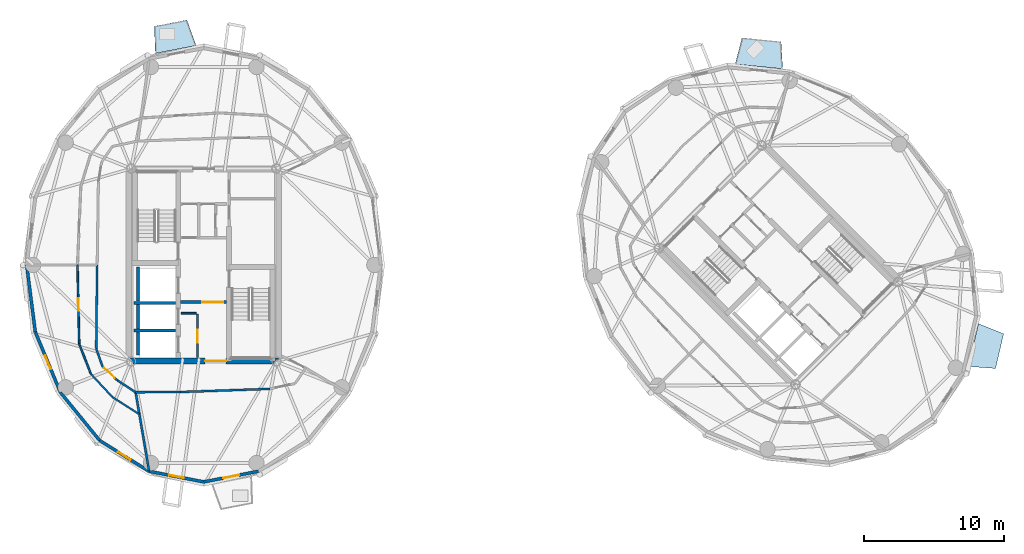
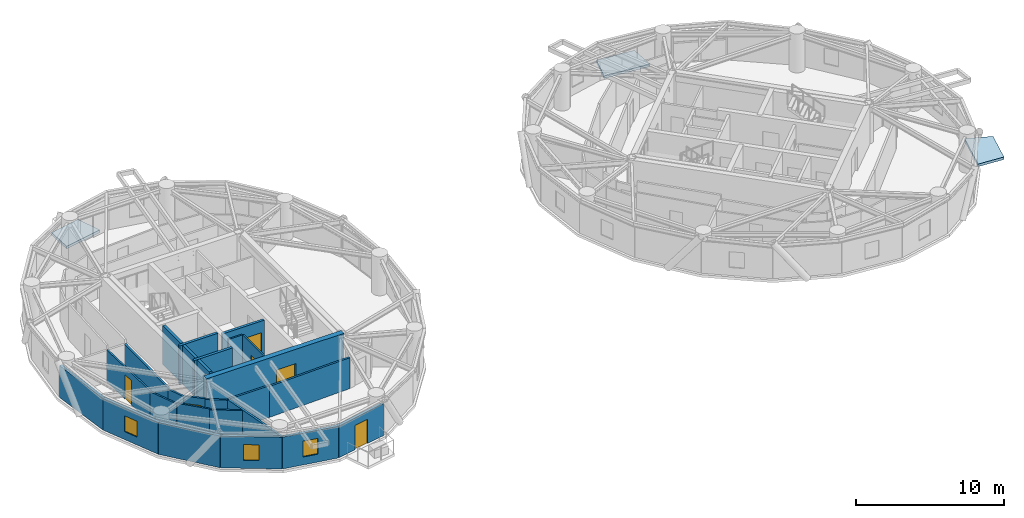
# One storey, part 8 of 17: 26 walls, 6 doors, 3 slabs, 3 windows, 9 openings.
"""IFC4 building model written with IfcOpenShell, lengths in metres."""

from ifc_helpers import new_model, si_unit, direction, frame, frame_2d, origin, place, context, subcontext, project, spatial, polyline, rectangle, outline, extrude, source, transform, mapped, material, layer, layer_set, type_object, element, fill, save


model = new_model("IFC4")

# Units and contexts
model_context = context("Model", 3, precision=1e-05, world=origin(), true_north=direction((0.0, 1.0)))
body_context = subcontext(model_context, "Body", "Model", "MODEL_VIEW")
ifc_project = project(units=[si_unit("LENGTHUNIT", "METRE"), si_unit("AREAUNIT", "SQUARE_METRE"), si_unit("VOLUMEUNIT", "CUBIC_METRE"), si_unit("PLANEANGLEUNIT", "RADIAN"), si_unit("MASSUNIT", "GRAM", prefix="KILO")], contexts=[model_context])

# Site, building, storey
site_placement = place(None, origin())
site = spatial("IfcSite", under=ifc_project, at=site_placement, CompositionType="ELEMENT")
building_placement = place(site_placement, origin())
building = spatial("IfcBuilding", under=site, at=building_placement, Name="Cununo Teusaquillo Station Towers", CompositionType="ELEMENT")
storey_placement = place(building_placement, frame((0.0, 0.0, 222.85009765625)))
storey = spatial("IfcBuildingStorey", under=building, at=storey_placement, Name="L71", CompositionType="ELEMENT", Elevation=222.85009765625)

# Slabs
ifc_material_1 = material(Name="Concrete C50/60", Category="concrete")
ifc_layer_1 = layer(ifc_material_1, 0.2099609375)
ifc_layer_set_1 = layer_set([ifc_layer_1], Name="Concrete C50/60")
slab_type = type_object("IfcSlabType", Name="SLB-BAL-210", PredefinedType="FLOOR", material=ifc_layer_set_1)
slab_1_placement = place(storey_placement, frame((0.0, 0.0, -0.210205078125)))
element("IfcSlab", 1, at=slab_1_placement, inside=storey, type_object=slab_type, Name="L71 Tower A Tree Balcony Slab 1", PredefinedType="FLOOR", context=body_context, shape_type="SweptSolid", body=[
    extrude(outline(polyline([(15.958984375, 40.150634765625), (13.0498046875, 39.58837890625), (12.98095703125, 41.525390625), (15.30126953125, 41.973876953125), (15.958984375, 40.150634765625)])), origin(), (0.0, 0.0, 1.0), 0.210205078125),
])
slab_2_placement = place(storey_placement, frame((0.0, 0.0, -0.210205078125)))
element("IfcSlab", 2, at=slab_2_placement, inside=storey, type_object=slab_type, Name="L71 Tower B Tree Balcony Slab 1", PredefinedType="FLOOR", context=body_context, shape_type="SweptSolid", body=[
    extrude(outline(polyline([(57.79248046875, 38.490478515625), (54.403564453125, 38.826416015625), (54.89111328125, 40.702392578125), (57.6826171875, 40.42578125), (57.79248046875, 38.490478515625)])), origin(), (0.0, 0.0, 1.0), 0.210205078125),
])
slab_3_placement = place(storey_placement, frame((0.0, 0.0, -0.210205078125)))
element("IfcSlab", 3, at=slab_3_placement, inside=storey, type_object=slab_type, Name="L71 Tower B Tree Balcony Slab 2", PredefinedType="FLOOR", context=body_context, shape_type="SweptSolid", body=[
    extrude(outline(polyline([(71.04248046875, 17.263671875), (71.755615234375, 20.319091796875), (73.55224609375, 19.591796875), (72.9755859375, 17.12060546875), (71.04248046875, 17.263671875)])), origin(), (0.0, 0.0, 1.0), 0.210205078125),
])

# Walls
ifc_material_2 = material(Name="Concrete C50/60", Category="concrete")
ifc_layer_2 = layer(ifc_material_2, 0.199951171875)
ifc_layer_set_2 = layer_set([ifc_layer_2], Name="Concrete C50/60")
wall_type_1 = type_object("IfcWallType", Name="WL-CORE-200", PredefinedType="SHEAR", material=ifc_layer_set_2)
wall_1_placement = place(storey_placement, frame((11.52001953125, 21.800048828125, 0.0), z_axis=(0.0, 0.0, 1.0), x_axis=(1.0, 0.0, 0.0)))
element("IfcWall", 4, at=wall_1_placement, inside=storey, type_object=wall_type_1, Name="L71 Tower A Firefighting Lift Shaft South Shear Wall", PredefinedType="SHEAR", context=body_context, shape_type="SweptSolid", body=[
    extrude(rectangle(XDim=2.969970703125, YDim=0.199951171875, at=frame_2d((1.48486328125, 0.0))), origin(), (0.0, 0.0, 1.0), 3.199951171875),
])
wall_2_placement = place(storey_placement, frame((11.820068359375, 21.919921875, 0.0), z_axis=(0.0, 0.0, 1.0), x_axis=(0.0, 1.0, 0.0)))
element("IfcWall", 5, at=wall_2_placement, inside=storey, type_object=wall_type_1, Name="L71 Tower A Firefighting Lift Shaft Rear Shear Wall", PredefinedType="SHEAR", context=body_context, shape_type="SweptSolid", body=[
    extrude(rectangle(XDim=2.440185546875, YDim=0.199951171875, at=frame_2d((1.22021484375, 0.0))), origin(), (0.0, 0.0, 1.0), 3.199951171875),
])
wall_3_placement = place(storey_placement, frame((11.52001953125, 19.824951171875, 0.0), z_axis=(0.0, 0.0, 1.0), x_axis=(1.0, 0.0, 0.0)))
element("IfcWall", 6, at=wall_3_placement, inside=storey, type_object=wall_type_1, Name="L71 Tower A High-Rise Lift Hoistway Divider Shear Wall", PredefinedType="SHEAR", context=body_context, shape_type="SweptSolid", body=[
    extrude(rectangle(XDim=2.969970703125, YDim=0.199951171875, at=frame_2d((1.48486328125, 0.0))), origin(), (0.0, 0.0, 1.0), 3.199951171875),
])
wall_4_placement = place(storey_placement, frame((11.820068359375, 19.945068359375, 0.0), z_axis=(0.0, 0.0, 1.0), x_axis=(0.0, 1.0, 0.0)))
element("IfcWall", 7, at=wall_4_placement, inside=storey, type_object=wall_type_1, Name="L71 Tower A High-Rise Lift 2 Shaft Rear Shear Wall", PredefinedType="SHEAR", context=body_context, shape_type="SweptSolid", body=[
    extrude(rectangle(XDim=1.73486328125, YDim=0.199951171875, at=frame_2d((0.867431640625, 0.0))), origin(), (0.0, 0.0, 1.0), 3.199951171875),
])
wall_5_placement = place(storey_placement, frame((11.820068359375, 18.070068359375, 0.0), z_axis=(0.0, 0.0, 1.0), x_axis=(0.0, 1.0, 0.0)))
element("IfcWall", 8, at=wall_5_placement, inside=storey, type_object=wall_type_1, Name="L71 Tower A High-Rise Lift 1 Shaft Rear Shear Wall", PredefinedType="SHEAR", context=body_context, shape_type="SweptSolid", body=[
    extrude(rectangle(XDim=1.635009765625, YDim=0.199951171875, at=frame_2d((0.8173828125, 0.0))), origin(), (0.0, 0.0, 1.0), 3.199951171875),
])

# Wall, opening, door
ifc_material_3 = material(Name="Concrete C50/60", Category="concrete")
ifc_layer_3 = layer(ifc_material_3, 0.39990234375)
ifc_layer_set_3 = layer_set([ifc_layer_3], Name="Concrete C50/60")
wall_type_2 = type_object("IfcWallType", Name="WL-CORE-400", PredefinedType="SHEAR", material=ifc_layer_set_3)
wall_6_placement = place(storey_placement, frame((11.14990234375, 17.64990234375, 0.0), z_axis=(0.0, 0.0, 1.0), x_axis=(1.0, 0.0, 0.0)))
wall_6 = element("IfcWall", 9, at=wall_6_placement, inside=storey, type_object=wall_type_2, Name="L71 Tower A Core Shear Wall S", PredefinedType="SHEAR", context=body_context, shape_type="SweptSolid", body=[
    extrude(rectangle(XDim=10.7001953125, YDim=0.39990234375, at=frame_2d((5.35009765625, 0.0))), origin(), (0.0, 0.0, 1.0), 3.199951171875),
])
shared_shape_1 = source(origin(), body_context, "Body", "SweptSolid", [
    extrude(rectangle(XDim=1.5, YDim=2.02001953125, at=frame_2d((0.75, 1.010009765625))), frame((0.0, 0.2099609375, 0.0), z_axis=(0.0, -1.0, 0.0), x_axis=(1.0, 0.0, 0.0)), (0.0, 0.0, 1.0), 0.419921875),
])
opening_1_placement = place(wall_6_placement, frame((5.449951171875, 0.0, 0.0)))
opening_1 = element("IfcOpeningElement", 10, at=opening_1_placement, cuts=wall_6, Name="Opening D-LB1", PredefinedType="OPENING", context=body_context, shape_type="MappedRepresentation", body=[
    mapped(shared_shape_1, transform((0.0, 0.0, 0.0), x_axis=(1.0, 0.0, 0.0), y_axis=(0.0, 1.0, 0.0), z_axis=(0.0, 0.0, 1.0), scale=1.0)),
])
ifc_material_4 = material(Name="Galvanised fire-rated hollow steel door assembly", Category="steel")
door_type_1 = type_object("IfcDoorType", Name="DR-LOBBY-1500", OperationType="DOUBLE_DOOR_SINGLE_SWING", PredefinedType="DOOR", material=ifc_material_4)
shared_shape_2 = source(origin(), body_context, "Body", "SweptSolid", [
    extrude(rectangle(XDim=1.5, YDim=2.02001953125, at=frame_2d((0.75, 1.010009765625))), frame((0.0, 0.02490234375, 0.0), z_axis=(0.0, -1.0, 0.0), x_axis=(1.0, 0.0, 0.0)), (0.0, 0.0, 1.0), 0.050048828125),
])
door_1_placement = place(opening_1_placement, origin())
door_1 = element("IfcDoor", 11, at=door_1_placement, inside=storey, type_object=door_type_1, Name="L71 Tower A South Core Lift Lobby Door", OperationType="DOUBLE_DOOR_SINGLE_SWING", OverallHeight=2.02001953125, OverallWidth=1.5, PredefinedType="DOOR", context=body_context, shape_type="MappedRepresentation", body=[
    mapped(shared_shape_2, transform((0.0, 0.0, 0.0), x_axis=(1.0, 0.0, 0.0), y_axis=(0.0, 1.0, 0.0), z_axis=(0.0, 0.0, 1.0), scale=1.0)),
])
fill(opening_1, door_1)

# Wall
ifc_material_5 = material(Name="Precast concrete C40/50", Category="concrete")
ifc_layer_4 = layer(ifc_material_5, 0.219970703125)
ifc_layer_set_4 = layer_set([ifc_layer_4], Name="Precast concrete C40/50")
wall_type_3 = type_object("IfcWallType", Name="WL-EXT-220", PredefinedType="SOLIDWALL", material=ifc_layer_set_4)
wall_7_placement = place(storey_placement, frame((4.48828125, 19.719482421875, 0.0), z_axis=(0.0, 0.0, 1.0), x_axis=(-0.128241318541, 0.991742993027, 0.0)))
element("IfcWall", 12, at=wall_7_placement, inside=storey, type_object=wall_type_3, Name="L71 Tower A Exterior Facade Wall C10", PredefinedType="SOLIDWALL", context=body_context, shape_type="SweptSolid", body=[
    extrude(rectangle(XDim=4.8203125, YDim=0.219970703125, at=frame_2d((2.41015625, 0.0))), origin(), (0.0, 0.0, 1.0), 2.61181640625),
])

# Wall, opening, window
wall_8_placement = place(storey_placement, frame((6.281982421875, 15.406982421875, 0.0), z_axis=(0.0, 0.0, 1.0), x_axis=(-0.384036305194, 0.923317993052, 0.0)))
wall_8 = element("IfcWall", 13, at=wall_8_placement, inside=storey, type_object=wall_type_3, Name="L71 Tower A Exterior Facade Wall C11", PredefinedType="SOLIDWALL", context=body_context, shape_type="SweptSolid", body=[
    extrude(rectangle(XDim=4.670654296875, YDim=0.219970703125, at=frame_2d((2.33544921875, 0.0))), origin(), (0.0, 0.0, 1.0), 2.61181640625),
])
shared_shape_3 = source(origin(), body_context, "Body", "SweptSolid", [
    extrude(rectangle(XDim=1.050048828125, YDim=1.300048828125, at=frame_2d((0.52490234375, 0.64990234375))), frame((0.0, 0.119873046875, 0.0), z_axis=(0.0, -1.0, 0.0), x_axis=(1.0, 0.0, 0.0)), (0.0, 0.0, 1.0), 0.239990234375),
])
opening_2_placement = place(wall_8_placement, frame((1.81005859375, 0.0, 0.64990234375)))
opening_2 = element("IfcOpeningElement", 14, at=opening_2_placement, cuts=wall_8, Name="Opening WN-04", PredefinedType="OPENING", context=body_context, shape_type="MappedRepresentation", body=[
    mapped(shared_shape_3, transform((0.0, 0.0, 0.0), x_axis=(1.0, 0.0, 0.0), y_axis=(0.0, 1.0, 0.0), z_axis=(0.0, 0.0, 1.0), scale=1.0)),
])
ifc_material_6 = material(Name="Operable acoustic tinted low-E double glazing", Category="glass")
window_type = type_object("IfcWindowType", Name="WIN-BAL-1050", PartitioningType="SINGLE_PANEL", PredefinedType="WINDOW", material=ifc_material_6)
shared_shape_4 = source(origin(), body_context, "Body", "SweptSolid", [
    extrude(rectangle(XDim=1.050048828125, YDim=1.300048828125, at=frame_2d((0.52490234375, 0.64990234375))), frame((0.0, 0.030029296875, 0.0), z_axis=(0.0, -1.0, 0.0), x_axis=(1.0, 0.0, 0.0)), (0.0, 0.0, 1.0), 0.06005859375),
])
window_1_placement = place(opening_2_placement, origin())
window_1 = element("IfcWindow", 15, at=window_1_placement, inside=storey, type_object=window_type, Name="L71 Tower A Facade Window C11", OverallHeight=1.300048828125, OverallWidth=1.050048828125, PartitioningType="SINGLE_PANEL", PredefinedType="WINDOW", context=body_context, shape_type="MappedRepresentation", body=[
    mapped(shared_shape_4, transform((0.0, 0.0, 0.0), x_axis=(1.0, 0.0, 0.0), y_axis=(0.0, 1.0, 0.0), z_axis=(0.0, 0.0, 1.0), scale=1.0)),
])
fill(opening_2, window_1)

# Wall
wall_9_placement = place(storey_placement, frame((9.076416015625, 11.984619140625, 0.0), z_axis=(0.0, 0.0, 1.0), x_axis=(-0.632467166636, 0.774587169483, 0.0)))
element("IfcWall", 16, at=wall_9_placement, inside=storey, type_object=wall_type_3, Name="L71 Tower A Exterior Facade Wall C12", PredefinedType="SOLIDWALL", context=body_context, shape_type="SweptSolid", body=[
    extrude(rectangle(XDim=4.418212890625, YDim=0.219970703125, at=frame_2d((2.208984375, 0.0))), origin(), (0.0, 0.0, 1.0), 2.61181640625),
])

# Wall, opening, window
wall_10_placement = place(storey_placement, frame((12.59716796875, 9.787109375, 0.0), z_axis=(0.0, 0.0, 1.0), x_axis=(-0.848318713376, 0.529485939886, 0.0)))
wall_10 = element("IfcWall", 17, at=wall_10_placement, inside=storey, type_object=wall_type_3, Name="L71 Tower A Exterior Facade Wall C13", PredefinedType="SOLIDWALL", context=body_context, shape_type="SweptSolid", body=[
    extrude(rectangle(XDim=4.150390625, YDim=0.219970703125, at=frame_2d((2.0751953125, 0.0))), origin(), (0.0, 0.0, 1.0), 2.61181640625),
])
opening_3_placement = place(wall_10_placement, frame((1.550048828125, 0.0, 0.64990234375)))
opening_3 = element("IfcOpeningElement", 18, at=opening_3_placement, cuts=wall_10, Name="Opening WN-04", PredefinedType="OPENING", context=body_context, shape_type="MappedRepresentation", body=[
    mapped(shared_shape_3, transform((0.0, 0.0, 0.0), x_axis=(1.0, 0.0, 0.0), y_axis=(0.0, 1.0, 0.0), z_axis=(0.0, 0.0, 1.0), scale=1.0)),
])
window_2_placement = place(opening_3_placement, origin())
window_2 = element("IfcWindow", 19, at=window_2_placement, inside=storey, type_object=window_type, Name="L71 Tower A Facade Window C13", OverallHeight=1.300048828125, OverallWidth=1.050048828125, PartitioningType="SINGLE_PANEL", PredefinedType="WINDOW", context=body_context, shape_type="MappedRepresentation", body=[
    mapped(shared_shape_4, transform((0.0, 0.0, 0.0), x_axis=(1.0, 0.0, 0.0), y_axis=(0.0, 1.0, 0.0), z_axis=(0.0, 0.0, 1.0), scale=1.0)),
])
fill(opening_3, window_2)

wall_11_placement = place(storey_placement, frame((16.5, 9.030029296875, 0.0), z_axis=(0.0, 0.0, 1.0), x_axis=(-0.981700307484, 0.190432419211, 0.0)))
wall_11 = element("IfcWall", 20, at=wall_11_placement, inside=storey, type_object=wall_type_3, Name="L71 Tower A Exterior Facade Wall C14", PredefinedType="SOLIDWALL", context=body_context, shape_type="SweptSolid", body=[
    extrude(rectangle(XDim=3.9755859375, YDim=0.219970703125, at=frame_2d((1.98779296875, 0.0))), origin(), (0.0, 0.0, 1.0), 2.61181640625),
])
opening_4_placement = place(wall_11_placement, frame((1.462890625, 0.0, 0.64990234375)))
opening_4 = element("IfcOpeningElement", 21, at=opening_4_placement, cuts=wall_11, Name="Opening WN-04", PredefinedType="OPENING", context=body_context, shape_type="MappedRepresentation", body=[
    mapped(shared_shape_3, transform((0.0, 0.0, 0.0), x_axis=(1.0, 0.0, 0.0), y_axis=(0.0, 1.0, 0.0), z_axis=(0.0, 0.0, 1.0), scale=1.0)),
])
window_3_placement = place(opening_4_placement, origin())
window_3 = element("IfcWindow", 22, at=window_3_placement, inside=storey, type_object=window_type, Name="L71 Tower A Facade Window C14", OverallHeight=1.300048828125, OverallWidth=1.050048828125, PartitioningType="SINGLE_PANEL", PredefinedType="WINDOW", context=body_context, shape_type="MappedRepresentation", body=[
    mapped(shared_shape_4, transform((0.0, 0.0, 0.0), x_axis=(1.0, 0.0, 0.0), y_axis=(0.0, 1.0, 0.0), z_axis=(0.0, 0.0, 1.0), scale=1.0)),
])
fill(opening_4, window_3)

# Wall, opening, door
wall_12_placement = place(storey_placement, frame((20.40283203125, 9.787109375, 0.0), z_axis=(0.0, 0.0, 1.0), x_axis=(-0.981700307484, -0.190432419211, 0.0)))
wall_12 = element("IfcWall", 23, at=wall_12_placement, inside=storey, type_object=wall_type_3, Name="L71 Tower A Exterior Facade Wall C15", PredefinedType="SOLIDWALL", context=body_context, shape_type="SweptSolid", body=[
    extrude(rectangle(XDim=3.9755859375, YDim=0.219970703125, at=frame_2d((1.98779296875, 0.0))), origin(), (0.0, 0.0, 1.0), 2.61181640625),
])
shared_shape_5 = source(origin(), body_context, "Body", "SweptSolid", [
    extrude(rectangle(XDim=1.14990234375, YDim=2.0048828125, at=frame_2d((0.574951171875, 1.00244140625))), frame((0.0, 0.119873046875, 0.0), z_axis=(0.0, -1.0, 0.0), x_axis=(1.0, 0.0, 0.0)), (0.0, 0.0, 1.0), 0.239990234375),
])
opening_5_placement = place(wall_12_placement, frame((1.4130859375, 0.0, 0.0)))
opening_5 = element("IfcOpeningElement", 24, at=opening_5_placement, cuts=wall_12, Name="Opening ED-03", PredefinedType="OPENING", context=body_context, shape_type="MappedRepresentation", body=[
    mapped(shared_shape_5, transform((0.0, 0.0, 0.0), x_axis=(1.0, 0.0, 0.0), y_axis=(0.0, 1.0, 0.0), z_axis=(0.0, 0.0, 1.0), scale=1.0)),
])
ifc_material_7 = material(Name="Anodised dark bronze aluminium EN AW-6063-T6", Category="aluminium")
door_type_2 = type_object("IfcDoorType", Name="DR-EXT-BAL", OperationType="NOTDEFINED", PredefinedType="DOOR", material=ifc_material_7)
shared_shape_6 = source(origin(), body_context, "Body", "SweptSolid", [
    extrude(rectangle(XDim=1.14990234375, YDim=2.0048828125, at=frame_2d((0.574951171875, 1.00244140625))), frame((0.0, 0.02490234375, 0.0), z_axis=(0.0, -1.0, 0.0), x_axis=(1.0, 0.0, 0.0)), (0.0, 0.0, 1.0), 0.050048828125),
])
door_2_placement = place(opening_5_placement, origin())
door_2 = element("IfcDoor", 25, at=door_2_placement, inside=storey, type_object=door_type_2, Name="L71 Tower A Tree Balcony Door C15", OperationType="SINGLE_SWING_LEFT", OverallHeight=2.0048828125, OverallWidth=1.14990234375, PredefinedType="DOOR", context=body_context, shape_type="MappedRepresentation", body=[
    mapped(shared_shape_6, transform((0.0, 0.0, 0.0), x_axis=(1.0, 0.0, 0.0), y_axis=(0.0, 1.0, 0.0), z_axis=(0.0, 0.0, 1.0), scale=1.0)),
])
fill(opening_5, door_2)

ifc_material_8 = material(Name="Fire-rated gypsum plasterboard partition assembly", Category="gypsum")
ifc_layer_5 = layer(ifc_material_8, 0.125)
ifc_layer_set_5 = layer_set([ifc_layer_5], Name="Fire-rated gypsum plasterboard partition assembly")
wall_type_4 = type_object("IfcWallType", Name="WL-PART-125", PredefinedType="PARTITIONING", material=ifc_layer_set_5)
wall_13_placement = place(storey_placement, frame((16.050048828125, 17.919921875, 0.0), z_axis=(0.0, 0.0, 1.0), x_axis=(0.0, 1.0, 0.0)))
wall_13 = element("IfcWall", 26, at=wall_13_placement, inside=storey, type_object=wall_type_4, Name="L71 Tower A South-West Tall Store East Wall", PredefinedType="PARTITIONING", context=body_context, shape_type="SweptSolid", body=[
    extrude(rectangle(XDim=3.080078125, YDim=0.125, at=frame_2d((1.5400390625, 0.0))), origin(), (0.0, 0.0, 1.0), 2.974853515625),
])
shared_shape_7 = source(origin(), body_context, "Body", "SweptSolid", [
    extrude(rectangle(XDim=0.89990234375, YDim=2.0048828125, at=frame_2d((0.449951171875, 1.00244140625))), frame((0.0, 0.072509765625, 0.0), z_axis=(0.0, -1.0, 0.0), x_axis=(1.0, 0.0, 0.0)), (0.0, 0.0, 1.0), 0.14501953125),
])
opening_6_placement = place(wall_13_placement, frame((1.050048828125, 0.0, 0.0)))
opening_6 = element("IfcOpeningElement", 27, at=opening_6_placement, cuts=wall_13, Name="Opening D-SR1", PredefinedType="OPENING", context=body_context, shape_type="MappedRepresentation", body=[
    mapped(shared_shape_7, transform((0.0, 0.0, 0.0), x_axis=(1.0, 0.0, 0.0), y_axis=(0.0, 1.0, 0.0), z_axis=(0.0, 0.0, 1.0), scale=1.0)),
])
ifc_material_9 = material(Name="Galvanised fire-rated hollow steel door assembly", Category="steel")
door_type_3 = type_object("IfcDoorType", Name="DR-STORE-900", OperationType="NOTDEFINED", PredefinedType="DOOR", material=ifc_material_9)
shared_shape_8 = source(origin(), body_context, "Body", "SweptSolid", [
    extrude(rectangle(XDim=0.89990234375, YDim=2.0048828125, at=frame_2d((0.449951171875, 1.00244140625))), frame((0.0, 0.02490234375, 0.0), z_axis=(0.0, -1.0, 0.0), x_axis=(1.0, 0.0, 0.0)), (0.0, 0.0, 1.0), 0.050048828125),
])
door_3_placement = place(opening_6_placement, origin())
door_3 = element("IfcDoor", 28, at=door_3_placement, inside=storey, type_object=door_type_3, Name="L71 Tower A South Cleaners Store Door", OperationType="SINGLE_SWING_RIGHT", OverallHeight=2.0048828125, OverallWidth=0.89990234375, PredefinedType="DOOR", context=body_context, shape_type="MappedRepresentation", body=[
    mapped(shared_shape_8, transform((0.0, 0.0, 0.0), x_axis=(1.0, 0.0, 0.0), y_axis=(0.0, 1.0, 0.0), z_axis=(0.0, 0.0, 1.0), scale=1.0)),
])
fill(opening_6, door_3)

# Wall
wall_14_placement = place(storey_placement, frame((14.8798828125, 21.050048828125, 0.0), z_axis=(0.0, 0.0, 1.0), x_axis=(1.0, 0.0, 0.0)))
element("IfcWall", 29, at=wall_14_placement, inside=storey, type_object=wall_type_4, Name="L71 Tower A South-West Tall Store North Wall", PredefinedType="PARTITIONING", context=body_context, shape_type="SweptSolid", body=[
    extrude(rectangle(XDim=1.10009765625, YDim=0.125, at=frame_2d((0.550048828125, 0.0))), origin(), (0.0, 0.0, 1.0), 2.974853515625),
])

# Wall, opening, door
wall_15_placement = place(storey_placement, frame((7.497314453125, 24.5, 0.0), z_axis=(0.0, 0.0, 1.0), x_axis=(0.021927972859, -0.999759553096, 0.0)))
wall_15 = element("IfcWall", 30, at=wall_15_placement, inside=storey, type_object=wall_type_4, Name="L71 Tower A Sabana Sunset Cocktail Lounge Concentric Partition Wall C10", PredefinedType="PARTITIONING", context=body_context, shape_type="SweptSolid", body=[
    extrude(rectangle(XDim=5.6337890625, YDim=0.125, at=frame_2d((2.81689453125, 0.0))), origin(), (0.0, 0.0, 1.0), 2.61181640625),
])
opening_7_placement = place(wall_15_placement, frame((2.366943359375, 0.0, 0.0)))
opening_7 = element("IfcOpeningElement", 31, at=opening_7_placement, cuts=wall_15, Name="Opening D-IN1", PredefinedType="OPENING", context=body_context, shape_type="MappedRepresentation", body=[
    mapped(shared_shape_7, transform((0.0, 0.0, 0.0), x_axis=(1.0, 0.0, 0.0), y_axis=(0.0, 1.0, 0.0), z_axis=(0.0, 0.0, 1.0), scale=1.0)),
])
ifc_material_10 = material(Name="Acoustic solid-core hardwood leaf assembly", Category="wood")
door_type_4 = type_object("IfcDoorType", Name="DR-INT-900", OperationType="NOTDEFINED", PredefinedType="DOOR", material=ifc_material_10)
door_4_placement = place(opening_7_placement, origin())
door_4 = element("IfcDoor", 32, at=door_4_placement, inside=storey, type_object=door_type_4, Name="L71 Tower A Sabana Sunset Cocktail Lounge Connecting Door", OperationType="SINGLE_SWING_RIGHT", OverallHeight=2.0048828125, OverallWidth=0.89990234375, PredefinedType="DOOR", context=body_context, shape_type="MappedRepresentation", body=[
    mapped(shared_shape_8, transform((0.0, 0.0, 0.0), x_axis=(1.0, 0.0, 0.0), y_axis=(0.0, 1.0, 0.0), z_axis=(0.0, 0.0, 1.0), scale=1.0)),
])
fill(opening_7, door_4)

# Walls
wall_16_placement = place(storey_placement, frame((7.620849609375, 18.86767578125, 0.0), z_axis=(0.0, 0.0, 1.0), x_axis=(0.361712646649, -0.93228963378, 0.0)))
element("IfcWall", 33, at=wall_16_placement, inside=storey, type_object=wall_type_4, Name="L71 Tower A Sabana Sunset Cocktail Lounge Concentric Partition Wall C11", PredefinedType="PARTITIONING", context=body_context, shape_type="SweptSolid", body=[
    extrude(rectangle(XDim=2.296875, YDim=0.125, at=frame_2d((1.1484375, 0.0))), origin(), (0.0, 0.0, 1.0), 2.544921875),
])
wall_17_placement = place(storey_placement, frame((8.45166015625, 16.726318359375, 0.0), z_axis=(0.0, 0.0, 1.0), x_axis=(0.68299988274, -0.730418482911, 0.0)))
element("IfcWall", 34, at=wall_17_placement, inside=storey, type_object=wall_type_4, Name="L71 Tower A Sabana Sunset Cocktail Lounge Concentric Partition Wall C12", PredefinedType="PARTITIONING", context=body_context, shape_type="SweptSolid", body=[
    extrude(rectangle(XDim=2.2705078125, YDim=0.125, at=frame_2d((1.13525390625, 0.0))), origin(), (0.0, 0.0, 1.0), 2.61181640625),
])
wall_18_placement = place(storey_placement, frame((10.00244140625, 15.06787109375, 0.0), z_axis=(0.0, 0.0, 1.0), x_axis=(0.843381706724, -0.537314895349, 0.0)))
element("IfcWall", 35, at=wall_18_placement, inside=storey, type_object=wall_type_4, Name="L71 Tower A Sabana Sunset Cocktail Lounge Concentric Partition Wall C13", PredefinedType="PARTITIONING", context=body_context, shape_type="SweptSolid", body=[
    extrude(rectangle(XDim=2.2646484375, YDim=0.125, at=frame_2d((1.13232421875, 0.0))), origin(), (0.0, 0.0, 1.0), 2.544921875),
])
ifc_material_11 = material(Name="Fire-rated gypsum plasterboard partition assembly", Category="gypsum")
ifc_layer_6 = layer(ifc_material_11, 0.14990234375)
ifc_layer_set_6 = layer_set([ifc_layer_6], Name="Fire-rated gypsum plasterboard partition assembly")
wall_type_5 = type_object("IfcWallType", Name="WL-PART-150", PredefinedType="PARTITIONING", material=ifc_layer_set_6)
wall_19_placement = place(storey_placement, frame((8.89990234375, 24.5, 0.0), z_axis=(0.0, 0.0, 1.0), x_axis=(-0.011416369353, -0.999934831132, 0.0)))
element("IfcWall", 36, at=wall_19_placement, inside=storey, type_object=wall_type_5, Name="L71 Tower A Corridor Ring Wall C10", PredefinedType="PARTITIONING", context=body_context, shape_type="SweptSolid", body=[
    extrude(rectangle(XDim=5.966552734375, YDim=0.14990234375, at=frame_2d((2.9833984375, 0.0))), origin(), (0.0, 0.0, 1.0), 2.61181640625),
])
wall_20_placement = place(storey_placement, frame((8.831787109375, 18.533935546875, 0.0), z_axis=(0.0, 0.0, 1.0), x_axis=(0.332031819657, -0.943268186008, 0.0)))
element("IfcWall", 37, at=wall_20_placement, inside=storey, type_object=wall_type_5, Name="L71 Tower A Corridor Ring Wall C11", PredefinedType="PARTITIONING", context=body_context, shape_type="SweptSolid", body=[
    extrude(rectangle(XDim=1.377197265625, YDim=0.14990234375, at=frame_2d((0.6884765625, 0.0))), origin(), (0.0, 0.0, 1.0), 2.544921875),
])

# Wall, opening, door
wall_21_placement = place(storey_placement, frame((9.2890625, 17.23486328125, 0.0), z_axis=(0.0, 0.0, 1.0), x_axis=(0.739015164946, -0.673688790155, 0.0)))
wall_21 = element("IfcWall", 38, at=wall_21_placement, inside=storey, type_object=wall_type_5, Name="L71 Tower A Corridor Ring Wall C12", PredefinedType="PARTITIONING", context=body_context, shape_type="SweptSolid", body=[
    extrude(rectangle(XDim=1.4462890625, YDim=0.14990234375, at=frame_2d((0.72314453125, 0.0))), origin(), (0.0, 0.0, 1.0), 2.61181640625),
])
shared_shape_9 = source(origin(), body_context, "Body", "SweptSolid", [
    extrude(rectangle(XDim=1.050048828125, YDim=2.014892578125, at=frame_2d((0.52490234375, 1.00732421875))), frame((0.0, 0.0849609375, 0.0), z_axis=(0.0, -1.0, 0.0), x_axis=(1.0, 0.0, 0.0)), (0.0, 0.0, 1.0), 0.169921875),
])
opening_8_placement = place(wall_21_placement, frame((0.1201171875, 0.0, 0.0)))
opening_8 = element("IfcOpeningElement", 39, at=opening_8_placement, cuts=wall_21, Name="Opening D-SU1", PredefinedType="OPENING", context=body_context, shape_type="MappedRepresentation", body=[
    mapped(shared_shape_9, transform((0.0, 0.0, 0.0), x_axis=(1.0, 0.0, 0.0), y_axis=(0.0, 1.0, 0.0), z_axis=(0.0, 0.0, 1.0), scale=1.0)),
])
ifc_material_12 = material(Name="Acoustic solid-core hardwood leaf assembly", Category="wood")
door_type_5 = type_object("IfcDoorType", Name="DR-SUITE-1050", OperationType="NOTDEFINED", PredefinedType="DOOR", material=ifc_material_12)
shared_shape_10 = source(origin(), body_context, "Body", "SweptSolid", [
    extrude(rectangle(XDim=1.050048828125, YDim=2.014892578125, at=frame_2d((0.52490234375, 1.00732421875))), frame((0.0, 0.02490234375, 0.0), z_axis=(0.0, -1.0, 0.0), x_axis=(1.0, 0.0, 0.0)), (0.0, 0.0, 1.0), 0.050048828125),
])
door_5_placement = place(opening_8_placement, origin())
door_5 = element("IfcDoor", 40, at=door_5_placement, inside=storey, type_object=door_type_5, Name="L71 Tower A Sabana Sunset Cocktail Lounge Entrance Door", OperationType="SINGLE_SWING_LEFT", OverallHeight=2.014892578125, OverallWidth=1.050048828125, PredefinedType="DOOR", context=body_context, shape_type="MappedRepresentation", body=[
    mapped(shared_shape_10, transform((0.0, 0.0, 0.0), x_axis=(1.0, 0.0, 0.0), y_axis=(0.0, 1.0, 0.0), z_axis=(0.0, 0.0, 1.0), scale=1.0)),
])
fill(opening_8, door_5)

# Walls
wall_22_placement = place(storey_placement, frame((10.35791015625, 16.260498046875, 0.0), z_axis=(0.0, 0.0, 1.0), x_axis=(0.838265397059, -0.545262435983, 0.0)))
element("IfcWall", 41, at=wall_22_placement, inside=storey, type_object=wall_type_5, Name="L71 Tower A Corridor Ring Wall C13", PredefinedType="PARTITIONING", context=body_context, shape_type="SweptSolid", body=[
    extrude(rectangle(XDim=1.533935546875, YDim=0.14990234375, at=frame_2d((0.76708984375, 0.0))), origin(), (0.0, 0.0, 1.0), 2.544921875),
])
wall_23_placement = place(storey_placement, frame((11.643798828125, 15.424072265625, 0.0), z_axis=(0.0, 0.0, 1.0), x_axis=(0.999986552511, 0.005186019339, 0.0)))
element("IfcWall", 42, at=wall_23_placement, inside=storey, type_object=wall_type_5, Name="L71 Tower A Corridor Ring Wall C14", PredefinedType="PARTITIONING", context=body_context, shape_type="SweptSolid", body=[
    extrude(rectangle(XDim=3.201171875, YDim=0.14990234375, at=frame_2d((1.6005859375, 0.0))), origin(), (0.0, 0.0, 1.0), 2.61181640625),
])
wall_24_placement = place(storey_placement, frame((14.844970703125, 15.440673828125, 0.0), z_axis=(0.0, 0.0, 1.0), x_axis=(0.99938794868, 0.034981824334, 0.0)))
element("IfcWall", 43, at=wall_24_placement, inside=storey, type_object=wall_type_5, Name="L71 Tower A Corridor Ring Wall C15", PredefinedType="PARTITIONING", context=body_context, shape_type="SweptSolid", body=[
    extrude(rectangle(XDim=6.392822265625, YDim=0.14990234375, at=frame_2d((3.1962890625, 0.0))), origin(), (0.0, 0.0, 1.0), 2.544921875),
])
ifc_material_13 = material(Name="Fire-rated gypsum plasterboard partition assembly", Category="gypsum")
ifc_layer_7 = layer(ifc_material_13, 0.159912109375)
ifc_layer_set_7 = layer_set([ifc_layer_7], Name="Fire-rated gypsum plasterboard partition assembly")
wall_type_6 = type_object("IfcWallType", Name="WL-PART-160", PredefinedType="PARTITIONING", material=ifc_layer_set_7)
wall_25_placement = place(storey_placement, frame((11.643798828125, 15.424072265625, 0.0), z_axis=(0.0, 0.0, 1.0), x_axis=(0.168350269159, -0.985727237563, 0.0)))
element("IfcWall", 44, at=wall_25_placement, inside=storey, type_object=wall_type_6, Name="L71 Tower A Radial Suite Partition R04", PredefinedType="PARTITIONING", context=body_context, shape_type="SweptSolid", body=[
    extrude(rectangle(XDim=5.69921875, YDim=0.159912109375, at=frame_2d((2.849609375, 0.0))), origin(), (0.0, 0.0, 1.0), 2.61181640625),
])

# Wall, opening, door
ifc_material_14 = material(Name="Fire-rated gypsum plasterboard partition assembly", Category="gypsum")
ifc_layer_8 = layer(ifc_material_14, 0.199951171875)
ifc_layer_set_8 = layer_set([ifc_layer_8], Name="Fire-rated gypsum plasterboard partition assembly")
wall_type_7 = type_object("IfcWallType", Name="WL-PART-200", PredefinedType="PARTITIONING", material=ifc_layer_set_8)
wall_26_placement = place(storey_placement, frame((14.860107421875, 21.85009765625, 0.0), z_axis=(0.0, 0.0, 1.0), x_axis=(1.0, 0.0, 0.0)))
wall_26 = element("IfcWall", 45, at=wall_26_placement, inside=storey, type_object=wall_type_7, Name="L71 Tower A Firefighting Lift Lobby South Fire Wall", PredefinedType="PARTITIONING", context=body_context, shape_type="SweptSolid", body=[
    extrude(rectangle(XDim=3.27978515625, YDim=0.199951171875, at=frame_2d((1.639892578125, 0.0))), origin(), (0.0, 0.0, 1.0), 2.974853515625),
])
shared_shape_11 = source(origin(), body_context, "Body", "SweptSolid", [
    extrude(rectangle(XDim=1.5, YDim=2.02001953125, at=frame_2d((0.75, 1.010009765625))), frame((0.0, 0.10986328125, 0.0), z_axis=(0.0, -1.0, 0.0), x_axis=(1.0, 0.0, 0.0)), (0.0, 0.0, 1.0), 0.219970703125),
])
opening_9_placement = place(wall_26_placement, frame((1.550048828125, 0.0, 0.0)))
opening_9 = element("IfcOpeningElement", 46, at=opening_9_placement, cuts=wall_26, Name="Opening D-LB1", PredefinedType="OPENING", context=body_context, shape_type="MappedRepresentation", body=[
    mapped(shared_shape_11, transform((0.0, 0.0, 0.0), x_axis=(1.0, 0.0, 0.0), y_axis=(0.0, 1.0, 0.0), z_axis=(0.0, 0.0, 1.0), scale=1.0)),
])
door_6_placement = place(opening_9_placement, origin())
door_6 = element("IfcDoor", 47, at=door_6_placement, inside=storey, type_object=door_type_1, Name="L71 Tower A Firefighting Lift Lobby South Fire Door", OperationType="DOUBLE_DOOR_SINGLE_SWING", OverallHeight=2.02001953125, OverallWidth=1.5, PredefinedType="DOOR", context=body_context, shape_type="MappedRepresentation", body=[
    mapped(shared_shape_2, transform((0.0, 0.0, 0.0), x_axis=(1.0, 0.0, 0.0), y_axis=(0.0, 1.0, 0.0), z_axis=(0.0, 0.0, 1.0), scale=1.0)),
])
fill(opening_9, door_6)

save(model, "model.ifc")
